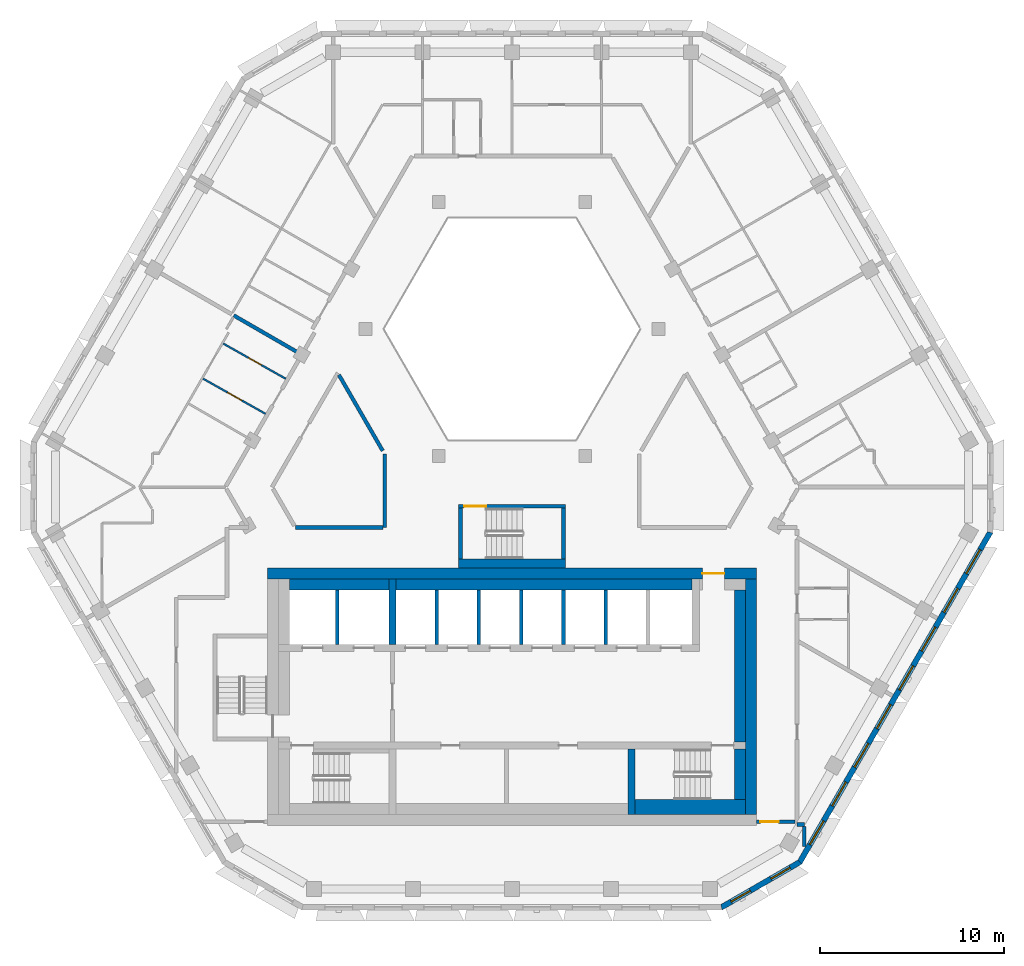
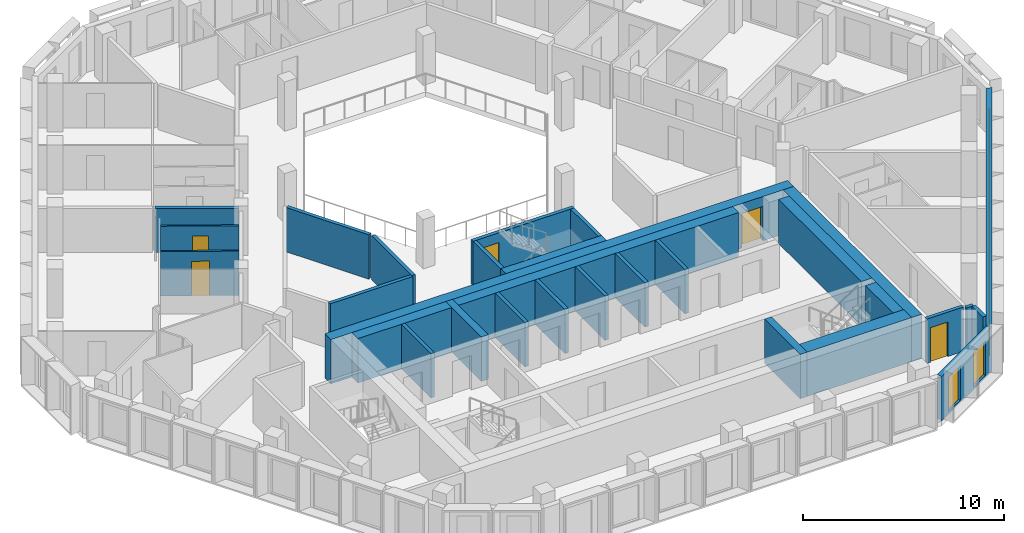
# One storey, part 5 of 18: 30 walls, 10 windows, 5 doors, 15 openings.
"""IFC4 building model written with IfcOpenShell, lengths in metres."""

from ifc_helpers import new_model, si_unit, direction, frame, frame_2d, origin, place, context, subcontext, project, spatial, polyline, rectangle, outline, extrude, material, layer, layer_set, type_object, element, fill, save


model = new_model("IFC4")

# Units and contexts
model_context = context("Model", 3, precision=1e-05, world=origin(), true_north=direction((0.0, 1.0)))
body_context = subcontext(model_context, "Body", "Model", "MODEL_VIEW")
ifc_project = project(units=[si_unit("LENGTHUNIT", "METRE"), si_unit("AREAUNIT", "SQUARE_METRE"), si_unit("VOLUMEUNIT", "CUBIC_METRE"), si_unit("PLANEANGLEUNIT", "RADIAN"), si_unit("MASSUNIT", "GRAM", prefix="KILO")], contexts=[model_context])

# Site, building, storey
site_placement = place(None, origin())
site = spatial("IfcSite", under=ifc_project, at=site_placement, CompositionType="ELEMENT")
building_placement = place(site_placement, origin())
building = spatial("IfcBuilding", under=site, at=building_placement, Name="Beryl Residences", CompositionType="ELEMENT")
storey_placement = place(building_placement, frame((0.0, 0.0, 184.199951171875)))
storey = spatial("IfcBuildingStorey", under=building, at=storey_placement, Name="L56", CompositionType="ELEMENT", Elevation=184.199951171875)

# Wall, openings, windows
ifc_material_1 = material(Name="Composite metal panel with mineral wool insulation")
ifc_layer_1 = layer(ifc_material_1, 0.300048828125)
ifc_layer_set_1 = layer_set([ifc_layer_1], Name="ES1 pale metal composite panel wall 300 mm")
wall_type_1 = type_object("IfcWallType", Name="ES1 pale metal composite panel wall 300 mm", PredefinedType="SOLIDWALL", material=ifc_layer_set_1)
wall_1_placement = place(storey_placement, frame((11.35595703125, -23.469970703125, 0.0), z_axis=(0.0, 0.0, 1.0), x_axis=(0.866022959057, 0.500004234368, 0.0)))
wall_1 = element("IfcWall", 1, at=wall_1_placement, inside=storey, type_object=wall_type_1, Name="ES1 external wall L56 S-SE", PredefinedType="SOLIDWALL", context=body_context, shape_type="SweptSolid", body=[
    extrude(outline(polyline([(0.0, -0.14990234375), (5.0, -0.14990234375), (4.919677734375, 0.14990234375), (0.080322265625, 0.14990234375), (0.0, -0.14990234375)])), origin(), (0.0, 0.0, 1.0), 2.699951171875),
])
opening_1_placement = place(wall_1_placement, frame((0.64990234375, 0.0, 0.14990234375)))
opening_1 = element("IfcOpeningElement", 2, at=opening_1_placement, cuts=wall_1, Name="Opening W2", PredefinedType="OPENING", context=body_context, shape_type="SweptSolid", body=[
    extrude(rectangle(XDim=1.199951171875, YDim=2.10009765625, at=frame_2d((0.60009765625, 1.050048828125))), frame((0.0, 0.159912109375, 0.0), z_axis=(0.0, -1.0, 0.0), x_axis=(1.0, 0.0, 0.0)), (0.0, 0.0, 1.0), 0.320068359375),
])
opening_2_placement = place(wall_1_placement, frame((3.14892578125, 0.0, 0.14990234375)))
opening_2 = element("IfcOpeningElement", 3, at=opening_2_placement, cuts=wall_1, Name="Opening W2", PredefinedType="OPENING", context=body_context, shape_type="SweptSolid", body=[
    extrude(rectangle(XDim=1.199951171875, YDim=2.10009765625, at=frame_2d((0.60009765625, 1.050048828125))), frame((0.0, 0.159912109375, 0.0), z_axis=(0.0, -1.0, 0.0), x_axis=(1.0, 0.0, 0.0)), (0.0, 0.0, 1.0), 0.320068359375),
])
ifc_material_2 = material(Name="Aluminium and clear glass", Category="aluminium")
window_type_1 = type_object("IfcWindowType", Name="W2 chamfer window 1200 x 2100 mm", PartitioningType="SINGLE_PANEL", PredefinedType="WINDOW", material=ifc_material_2)
window_1_placement = place(opening_1_placement, origin())
window_1 = element("IfcWindow", 4, at=window_1_placement, inside=storey, type_object=window_type_1, Name="W2 window L56 S-SE 1", OverallHeight=2.10009765625, OverallWidth=1.199951171875, PartitioningType="SINGLE_PANEL", PredefinedType="WINDOW", context=body_context, shape_type="SweptSolid", body=[
    extrude(rectangle(XDim=1.199951171875, YDim=2.10009765625, at=frame_2d((0.60009765625, 1.050048828125))), frame((0.0, 0.030029296875, 0.0), z_axis=(0.0, -1.0, 0.0), x_axis=(1.0, 0.0, 0.0)), (0.0, 0.0, 1.0), 0.06005859375),
])
fill(opening_1, window_1)
window_2_placement = place(opening_2_placement, origin())
window_2 = element("IfcWindow", 5, at=window_2_placement, inside=storey, type_object=window_type_1, Name="W2 window L56 S-SE 2", OverallHeight=2.10009765625, OverallWidth=1.199951171875, PartitioningType="SINGLE_PANEL", PredefinedType="WINDOW", context=body_context, shape_type="SweptSolid", body=[
    extrude(rectangle(XDim=1.199951171875, YDim=2.10009765625, at=frame_2d((0.60009765625, 1.050048828125))), frame((0.0, 0.030029296875, 0.0), z_axis=(0.0, -1.0, 0.0), x_axis=(1.0, 0.0, 0.0)), (0.0, 0.0, 1.0), 0.06005859375),
])
fill(opening_2, window_2)

wall_2_placement = place(storey_placement, frame((15.631103515625, -21.02490234375, 0.0), z_axis=(0.0, 0.0, 1.0), x_axis=(0.500018670445, 0.86601462413, 0.0)))
wall_2 = element("IfcWall", 6, at=wall_2_placement, inside=storey, type_object=wall_type_1, Name="ES1 external wall L56 SE", PredefinedType="SOLIDWALL", context=body_context, shape_type="SweptSolid", body=[
    extrude(outline(polyline([(0.0, -0.14990234375), (20.784912109375, -0.14990234375), (20.70458984375, 0.14990234375), (0.080322265625, 0.14990234375), (0.0, -0.14990234375)])), origin(), (0.0, 0.0, 1.0), 2.699951171875),
])
opening_3_placement = place(wall_2_placement, frame((1.1298828125, 0.0, 0.14990234375)))
opening_3 = element("IfcOpeningElement", 7, at=opening_3_placement, cuts=wall_2, Name="Opening W1", PredefinedType="OPENING", context=body_context, shape_type="SweptSolid", body=[
    extrude(rectangle(XDim=1.5, YDim=2.10009765625, at=frame_2d((0.75, 1.050048828125))), frame((0.0, 0.159912109375, 0.0), z_axis=(0.0, -1.0, 0.0), x_axis=(1.0, 0.0, 0.0)), (0.0, 0.0, 1.0), 0.320068359375),
])
opening_4_placement = place(wall_2_placement, frame((3.56201171875, 0.0, 0.14990234375)))
opening_4 = element("IfcOpeningElement", 8, at=opening_4_placement, cuts=wall_2, Name="Opening W1", PredefinedType="OPENING", context=body_context, shape_type="SweptSolid", body=[
    extrude(rectangle(XDim=1.5, YDim=2.10009765625, at=frame_2d((0.75, 1.050048828125))), frame((0.0, 0.159912109375, 0.0), z_axis=(0.0, -1.0, 0.0), x_axis=(1.0, 0.0, 0.0)), (0.0, 0.0, 1.0), 0.320068359375),
])
opening_5_placement = place(wall_2_placement, frame((5.993896484375, 0.0, 0.14990234375)))
opening_5 = element("IfcOpeningElement", 9, at=opening_5_placement, cuts=wall_2, Name="Opening W1", PredefinedType="OPENING", context=body_context, shape_type="SweptSolid", body=[
    extrude(rectangle(XDim=1.5, YDim=2.10009765625, at=frame_2d((0.75, 1.050048828125))), frame((0.0, 0.159912109375, 0.0), z_axis=(0.0, -1.0, 0.0), x_axis=(1.0, 0.0, 0.0)), (0.0, 0.0, 1.0), 0.320068359375),
])
opening_6_placement = place(wall_2_placement, frame((8.425048828125, 0.0, 0.14990234375)))
opening_6 = element("IfcOpeningElement", 10, at=opening_6_placement, cuts=wall_2, Name="Opening W1", PredefinedType="OPENING", context=body_context, shape_type="SweptSolid", body=[
    extrude(rectangle(XDim=1.5, YDim=2.10009765625, at=frame_2d((0.75, 1.050048828125))), frame((0.0, 0.159912109375, 0.0), z_axis=(0.0, -1.0, 0.0), x_axis=(1.0, 0.0, 0.0)), (0.0, 0.0, 1.0), 0.320068359375),
])
opening_7_placement = place(wall_2_placement, frame((10.85693359375, 0.0, 0.14990234375)))
opening_7 = element("IfcOpeningElement", 11, at=opening_7_placement, cuts=wall_2, Name="Opening W1", PredefinedType="OPENING", context=body_context, shape_type="SweptSolid", body=[
    extrude(rectangle(XDim=1.5, YDim=2.10009765625, at=frame_2d((0.75, 1.050048828125))), frame((0.0, 0.159912109375, 0.0), z_axis=(0.0, -1.0, 0.0), x_axis=(1.0, 0.0, 0.0)), (0.0, 0.0, 1.0), 0.320068359375),
])
opening_8_placement = place(wall_2_placement, frame((13.2890625, 0.0, 0.14990234375)))
opening_8 = element("IfcOpeningElement", 12, at=opening_8_placement, cuts=wall_2, Name="Opening W1", PredefinedType="OPENING", context=body_context, shape_type="SweptSolid", body=[
    extrude(rectangle(XDim=1.5, YDim=2.10009765625, at=frame_2d((0.75, 1.050048828125))), frame((0.0, 0.159912109375, 0.0), z_axis=(0.0, -1.0, 0.0), x_axis=(1.0, 0.0, 0.0)), (0.0, 0.0, 1.0), 0.320068359375),
])
opening_9_placement = place(wall_2_placement, frame((15.721923828125, 0.0, 0.14990234375)))
opening_9 = element("IfcOpeningElement", 13, at=opening_9_placement, cuts=wall_2, Name="Opening W1", PredefinedType="OPENING", context=body_context, shape_type="SweptSolid", body=[
    extrude(rectangle(XDim=1.5, YDim=2.10009765625, at=frame_2d((0.75, 1.050048828125))), frame((0.0, 0.159912109375, 0.0), z_axis=(0.0, -1.0, 0.0), x_axis=(1.0, 0.0, 0.0)), (0.0, 0.0, 1.0), 0.320068359375),
])
opening_10_placement = place(wall_2_placement, frame((18.154052734375, 0.0, 0.14990234375)))
opening_10 = element("IfcOpeningElement", 14, at=opening_10_placement, cuts=wall_2, Name="Opening W1", PredefinedType="OPENING", context=body_context, shape_type="SweptSolid", body=[
    extrude(rectangle(XDim=1.5, YDim=2.10009765625, at=frame_2d((0.75, 1.050048828125))), frame((0.0, 0.159912109375, 0.0), z_axis=(0.0, -1.0, 0.0), x_axis=(1.0, 0.0, 0.0)), (0.0, 0.0, 1.0), 0.320068359375),
])
ifc_material_3 = material(Name="Aluminium and clear glass", Category="aluminium")
window_type_2 = type_object("IfcWindowType", Name="W1 cell window 1500 x 2100 mm", PartitioningType="SINGLE_PANEL", PredefinedType="WINDOW", material=ifc_material_3)
window_3_placement = place(opening_3_placement, origin())
window_3 = element("IfcWindow", 15, at=window_3_placement, inside=storey, type_object=window_type_2, Name="W1 window L56 SE 1", OverallHeight=2.10009765625, OverallWidth=1.5, PartitioningType="SINGLE_PANEL", PredefinedType="WINDOW", context=body_context, shape_type="SweptSolid", body=[
    extrude(rectangle(XDim=1.5, YDim=2.10009765625, at=frame_2d((0.75, 1.050048828125))), frame((0.0, 0.030029296875, 0.0), z_axis=(0.0, -1.0, 0.0), x_axis=(1.0, 0.0, 0.0)), (0.0, 0.0, 1.0), 0.06005859375),
])
fill(opening_3, window_3)
window_4_placement = place(opening_4_placement, origin())
window_4 = element("IfcWindow", 16, at=window_4_placement, inside=storey, type_object=window_type_2, Name="W1 window L56 SE 2", OverallHeight=2.10009765625, OverallWidth=1.5, PartitioningType="SINGLE_PANEL", PredefinedType="WINDOW", context=body_context, shape_type="SweptSolid", body=[
    extrude(rectangle(XDim=1.5, YDim=2.10009765625, at=frame_2d((0.75, 1.050048828125))), frame((0.0, 0.030029296875, 0.0), z_axis=(0.0, -1.0, 0.0), x_axis=(1.0, 0.0, 0.0)), (0.0, 0.0, 1.0), 0.06005859375),
])
fill(opening_4, window_4)
window_5_placement = place(opening_5_placement, origin())
window_5 = element("IfcWindow", 17, at=window_5_placement, inside=storey, type_object=window_type_2, Name="W1 window L56 SE 3", OverallHeight=2.10009765625, OverallWidth=1.5, PartitioningType="SINGLE_PANEL", PredefinedType="WINDOW", context=body_context, shape_type="SweptSolid", body=[
    extrude(rectangle(XDim=1.5, YDim=2.10009765625, at=frame_2d((0.75, 1.050048828125))), frame((0.0, 0.030029296875, 0.0), z_axis=(0.0, -1.0, 0.0), x_axis=(1.0, 0.0, 0.0)), (0.0, 0.0, 1.0), 0.06005859375),
])
fill(opening_5, window_5)
window_6_placement = place(opening_6_placement, origin())
window_6 = element("IfcWindow", 18, at=window_6_placement, inside=storey, type_object=window_type_2, Name="W1 window L56 SE 4", OverallHeight=2.10009765625, OverallWidth=1.5, PartitioningType="SINGLE_PANEL", PredefinedType="WINDOW", context=body_context, shape_type="SweptSolid", body=[
    extrude(rectangle(XDim=1.5, YDim=2.10009765625, at=frame_2d((0.75, 1.050048828125))), frame((0.0, 0.030029296875, 0.0), z_axis=(0.0, -1.0, 0.0), x_axis=(1.0, 0.0, 0.0)), (0.0, 0.0, 1.0), 0.06005859375),
])
fill(opening_6, window_6)
window_7_placement = place(opening_7_placement, origin())
window_7 = element("IfcWindow", 19, at=window_7_placement, inside=storey, type_object=window_type_2, Name="W1 window L56 SE 5", OverallHeight=2.10009765625, OverallWidth=1.5, PartitioningType="SINGLE_PANEL", PredefinedType="WINDOW", context=body_context, shape_type="SweptSolid", body=[
    extrude(rectangle(XDim=1.5, YDim=2.10009765625, at=frame_2d((0.75, 1.050048828125))), frame((0.0, 0.030029296875, 0.0), z_axis=(0.0, -1.0, 0.0), x_axis=(1.0, 0.0, 0.0)), (0.0, 0.0, 1.0), 0.06005859375),
])
fill(opening_7, window_7)
window_8_placement = place(opening_8_placement, origin())
window_8 = element("IfcWindow", 20, at=window_8_placement, inside=storey, type_object=window_type_2, Name="W1 window L56 SE 6", OverallHeight=2.10009765625, OverallWidth=1.5, PartitioningType="SINGLE_PANEL", PredefinedType="WINDOW", context=body_context, shape_type="SweptSolid", body=[
    extrude(rectangle(XDim=1.5, YDim=2.10009765625, at=frame_2d((0.75, 1.050048828125))), frame((0.0, 0.030029296875, 0.0), z_axis=(0.0, -1.0, 0.0), x_axis=(1.0, 0.0, 0.0)), (0.0, 0.0, 1.0), 0.06005859375),
])
fill(opening_8, window_8)
window_9_placement = place(opening_9_placement, origin())
window_9 = element("IfcWindow", 21, at=window_9_placement, inside=storey, type_object=window_type_2, Name="W1 window L56 SE 7", OverallHeight=2.10009765625, OverallWidth=1.5, PartitioningType="SINGLE_PANEL", PredefinedType="WINDOW", context=body_context, shape_type="SweptSolid", body=[
    extrude(rectangle(XDim=1.5, YDim=2.10009765625, at=frame_2d((0.75, 1.050048828125))), frame((0.0, 0.030029296875, 0.0), z_axis=(0.0, -1.0, 0.0), x_axis=(1.0, 0.0, 0.0)), (0.0, 0.0, 1.0), 0.06005859375),
])
fill(opening_9, window_9)
window_10_placement = place(opening_10_placement, origin())
window_10 = element("IfcWindow", 22, at=window_10_placement, inside=storey, type_object=window_type_2, Name="W1 window L56 SE 8", OverallHeight=2.10009765625, OverallWidth=1.5, PartitioningType="SINGLE_PANEL", PredefinedType="WINDOW", context=body_context, shape_type="SweptSolid", body=[
    extrude(rectangle(XDim=1.5, YDim=2.10009765625, at=frame_2d((0.75, 1.050048828125))), frame((0.0, 0.030029296875, 0.0), z_axis=(0.0, -1.0, 0.0), x_axis=(1.0, 0.0, 0.0)), (0.0, 0.0, 1.0), 0.06005859375),
])
fill(opening_10, window_10)

# Wall, opening, door
ifc_material_4 = material(Name="Gypsum board partition on steel studs", Category="steel")
ifc_layer_2 = layer(ifc_material_4, 0.10009765625)
ifc_layer_set_2 = layer_set([ifc_layer_2], Name="PT1 partition 100 mm gypsum board on steel studs")
wall_type_2 = type_object("IfcWallType", Name="PT1 partition 100 mm gypsum board on steel studs", PredefinedType="PARTITIONING", material=ifc_layer_set_2)
wall_3_placement = place(storey_placement, frame((-16.799072265625, 5.2958984375, 0.0), z_axis=(0.0, 0.0, 1.0), x_axis=(0.871565499758, -0.490279083413, 0.0)))
wall_3 = element("IfcWall", 23, at=wall_3_placement, inside=storey, type_object=wall_type_2, Name="Wall PT1 L56 011", PredefinedType="PARTITIONING", context=body_context, shape_type="SweptSolid", body=[
    extrude(rectangle(XDim=3.8974609375, YDim=0.10009765625, at=frame_2d((1.94873046875, 0.0))), origin(), (0.0, 0.0, 1.0), 2.699951171875),
])
opening_11_placement = place(wall_3_placement, frame((1.52392578125, 0.0, 0.0)))
opening_11 = element("IfcOpeningElement", 24, at=opening_11_placement, cuts=wall_3, Name="Opening D1525", PredefinedType="OPENING", context=body_context, shape_type="SweptSolid", body=[
    extrude(rectangle(XDim=0.89990234375, YDim=2.10009765625, at=frame_2d((0.449951171875, 1.050048828125))), frame((0.0, 0.06005859375, 0.0), z_axis=(0.0, -1.0, 0.0), x_axis=(1.0, 0.0, 0.0)), (0.0, 0.0, 1.0), 0.1201171875),
])
ifc_material_5 = material(Name="Timber door leaf", Category="wood")
door_type_1 = type_object("IfcDoorType", Name="D2 room door 900 x 2100 mm", OperationType="SINGLE_SWING_LEFT", PredefinedType="DOOR", material=ifc_material_5)
door_1_placement = place(opening_11_placement, origin())
door_1 = element("IfcDoor", 25, at=door_1_placement, inside=storey, type_object=door_type_1, Name="Door D1525 L56 001", OperationType="SINGLE_SWING_LEFT", OverallHeight=2.10009765625, OverallWidth=0.89990234375, PredefinedType="DOOR", context=body_context, shape_type="SweptSolid", body=[
    extrude(rectangle(XDim=0.89990234375, YDim=2.10009765625, at=frame_2d((0.449951171875, 1.050048828125))), frame((0.0, 0.02490234375, 0.0), z_axis=(0.0, -1.0, 0.0), x_axis=(1.0, 0.0, 0.0)), (0.0, 0.0, 1.0), 0.050048828125),
])
fill(opening_11, door_1)

wall_4_placement = place(storey_placement, frame((-15.698974609375, 7.201904296875, 0.0), z_axis=(0.0, 0.0, 1.0), x_axis=(0.871565499758, -0.490279083413, 0.0)))
wall_4 = element("IfcWall", 26, at=wall_4_placement, inside=storey, type_object=wall_type_2, Name="Wall PT1 L56 012", PredefinedType="PARTITIONING", context=body_context, shape_type="SweptSolid", body=[
    extrude(rectangle(XDim=3.8974609375, YDim=0.10009765625, at=frame_2d((1.94873046875, 0.0))), origin(), (0.0, 0.0, 1.0), 2.699951171875),
])
opening_12_placement = place(wall_4_placement, frame((1.573974609375, 0.0, 0.0)))
opening_12 = element("IfcOpeningElement", 27, at=opening_12_placement, cuts=wall_4, Name="Opening D1526", PredefinedType="OPENING", context=body_context, shape_type="SweptSolid", body=[
    extrude(rectangle(XDim=0.800048828125, YDim=2.10009765625, at=frame_2d((0.39990234375, 1.050048828125))), frame((0.0, 0.06005859375, 0.0), z_axis=(0.0, -1.0, 0.0), x_axis=(1.0, 0.0, 0.0)), (0.0, 0.0, 1.0), 0.1201171875),
])
ifc_material_6 = material(Name="Timber door leaf", Category="wood")
door_type_2 = type_object("IfcDoorType", Name="D3 bathroom door 800 x 2100 mm", OperationType="SINGLE_SWING_LEFT", PredefinedType="DOOR", material=ifc_material_6)
door_2_placement = place(opening_12_placement, origin())
door_2 = element("IfcDoor", 28, at=door_2_placement, inside=storey, type_object=door_type_2, Name="Door D1526 L56 001", OperationType="SINGLE_SWING_RIGHT", OverallHeight=2.10009765625, OverallWidth=0.800048828125, PredefinedType="DOOR", context=body_context, shape_type="SweptSolid", body=[
    extrude(rectangle(XDim=0.800048828125, YDim=2.10009765625, at=frame_2d((0.39990234375, 1.050048828125))), frame((0.0, 0.02490234375, 0.0), z_axis=(0.0, -1.0, 0.0), x_axis=(1.0, 0.0, 0.0)), (0.0, 0.0, 1.0), 0.050048828125),
])
fill(opening_12, door_2)

# Walls
ifc_material_7 = material(Name="Concrete masonry", Category="masonry")
ifc_layer_3 = layer(ifc_material_7, 0.60009765625)
ifc_layer_set_3 = layer_set([ifc_layer_3], Name="PT13-600 lobby wall 600 mm")
wall_type_3 = type_object("IfcWallType", Name="PT13-600 lobby wall 600 mm", PredefinedType="PARTITIONING", material=ifc_layer_set_3)
wall_5_placement = place(storey_placement, frame((12.39990234375, -14.449951171875, 0.0), z_axis=(0.0, 0.0, 1.0), x_axis=(0.0, 1.0, 0.0)))
element("IfcWall", 29, at=wall_5_placement, inside=storey, type_object=wall_type_3, Name="Lobby wall 26", PredefinedType="PARTITIONING", context=body_context, shape_type="SweptSolid", body=[
    extrude(rectangle(XDim=8.25, YDim=0.60009765625, at=frame_2d((4.125, 0.0))), origin(), (0.0, 0.0, 1.0), 2.699951171875),
])
ifc_material_8 = material(Name="Acoustic double stud gypsum board wall")
ifc_layer_4 = layer(ifc_material_8, 0.199951171875)
ifc_layer_set_4 = layer_set([ifc_layer_4], Name="PT3 party wall 200 mm acoustic double stud")
wall_type_4 = type_object("IfcWallType", Name="PT3 party wall 200 mm acoustic double stud", PredefinedType="PARTITIONING", material=ifc_layer_set_4)
wall_6_placement = place(storey_placement, frame((15.89990234375, -19.051025390625, 0.0), z_axis=(0.0, 0.0, 1.0), x_axis=(0.0, -1.0, 0.0)))
element("IfcWall", 30, at=wall_6_placement, inside=storey, type_object=wall_type_4, Name="Wall PT3 L56 002", PredefinedType="PARTITIONING", context=body_context, shape_type="SweptSolid", body=[
    extrude(rectangle(XDim=1.0869140625, YDim=0.199951171875, at=frame_2d((0.54345703125, 0.0))), origin(), (0.0, 0.0, 1.0), 2.699951171875),
])
wall_7_placement = place(storey_placement, frame((-15.126953125, 8.73388671875, 0.0), z_axis=(0.0, 0.0, 1.0), x_axis=(0.865984601828, -0.500070664403, 0.0)))
element("IfcWall", 31, at=wall_7_placement, inside=storey, type_object=wall_type_4, Name="Wall PT3 L56 004", PredefinedType="PARTITIONING", context=body_context, shape_type="SweptSolid", body=[
    extrude(rectangle(XDim=4.16748046875, YDim=0.199951171875, at=frame_2d((2.083740234375, 0.0))), origin(), (0.0, 0.0, 1.0), 2.699951171875),
])
wall_8_placement = place(storey_placement, frame((15.4990234375, -18.949951171875, 0.0), z_axis=(0.0, 0.0, 1.0), x_axis=(1.0, 0.0, 0.0)))
element("IfcWall", 32, at=wall_8_placement, inside=storey, type_object=wall_type_4, Name="Wall PT3 L56 014", PredefinedType="PARTITIONING", context=body_context, shape_type="SweptSolid", body=[
    extrude(rectangle(XDim=0.39990234375, YDim=0.199951171875, at=frame_2d((0.199951171875, 0.0))), origin(), (0.0, 0.0, 1.0), 2.699951171875),
])
ifc_material_9 = material(Name="Double stud gypsum board wall")
ifc_layer_5 = layer(ifc_material_9, 0.199951171875)
ifc_layer_set_5 = layer_set([ifc_layer_5], Name="PT4 corridor wall 200 mm double stud")
wall_type_5 = type_object("IfcWallType", Name="PT4 corridor wall 200 mm double stud", PredefinedType="PARTITIONING", material=ifc_layer_set_5)
wall_9_placement = place(storey_placement, frame((-9.410888671875, 5.5, 0.0), z_axis=(0.0, 0.0, 1.0), x_axis=(0.500018099276, -0.86601495391, 0.0)))
element("IfcWall", 33, at=wall_9_placement, inside=storey, type_object=wall_type_5, Name="Wall PT4 L56 001", PredefinedType="PARTITIONING", context=body_context, shape_type="SweptSolid", body=[
    extrude(rectangle(XDim=4.765380859375, YDim=0.199951171875, at=frame_2d((2.3828125, 0.0))), origin(), (0.0, 0.0, 1.0), 2.699951171875),
])

# Wall, opening, door
wall_10_placement = place(storey_placement, frame((13.300048828125, -18.800048828125, 0.0), z_axis=(0.0, 0.0, 1.0), x_axis=(1.0, 0.0, 0.0)))
wall_10 = element("IfcWall", 34, at=wall_10_placement, inside=storey, type_object=wall_type_5, Name="Wall PT4 L56 009", PredefinedType="PARTITIONING", context=body_context, shape_type="SweptSolid", body=[
    extrude(rectangle(XDim=2.098876953125, YDim=0.199951171875, at=frame_2d((1.04931640625, 0.0))), origin(), (0.0, 0.0, 1.0), 2.699951171875),
])
opening_13_placement = place(wall_10_placement, frame((0.199951171875, 0.0, 0.0)))
opening_13 = element("IfcOpeningElement", 35, at=opening_13_placement, cuts=wall_10, Name="Opening D1548", PredefinedType="OPENING", context=body_context, shape_type="SweptSolid", body=[
    extrude(rectangle(XDim=1.0, YDim=2.10009765625, at=frame_2d((0.5, 1.050048828125))), frame((0.0, 0.10986328125, 0.0), z_axis=(0.0, -1.0, 0.0), x_axis=(1.0, 0.0, 0.0)), (0.0, 0.0, 1.0), 0.219970703125),
])
ifc_material_10 = material(Name="Timber door leaf", Category="wood")
door_type_3 = type_object("IfcDoorType", Name="D1 flat entrance door 1000 x 2100 mm", OperationType="SINGLE_SWING_LEFT", PredefinedType="DOOR", material=ifc_material_10)
door_3_placement = place(opening_13_placement, origin())
door_3 = element("IfcDoor", 36, at=door_3_placement, inside=storey, type_object=door_type_3, Name="Door D1548 L56 001", OperationType="SINGLE_SWING_LEFT", OverallHeight=2.10009765625, OverallWidth=1.0, PredefinedType="DOOR", context=body_context, shape_type="SweptSolid", body=[
    extrude(rectangle(XDim=1.0, YDim=2.10009765625, at=frame_2d((0.5, 1.050048828125))), frame((0.0, 0.02490234375, 0.0), z_axis=(0.0, -1.0, 0.0), x_axis=(1.0, 0.0, 0.0)), (0.0, 0.0, 1.0), 0.050048828125),
])
fill(opening_13, door_3)

# Walls
wall_11_placement = place(storey_placement, frame((-11.778076171875, -2.800048828125, 0.0), z_axis=(0.0, 0.0, 1.0), x_axis=(1.0, 0.0, 0.0)))
element("IfcWall", 37, at=wall_11_placement, inside=storey, type_object=wall_type_5, Name="Wall PT4 L56 011", PredefinedType="PARTITIONING", context=body_context, shape_type="SweptSolid", body=[
    extrude(rectangle(XDim=4.75, YDim=0.199951171875, at=frame_2d((2.375, 0.0))), origin(), (0.0, 0.0, 1.0), 2.699951171875),
])
wall_12_placement = place(storey_placement, frame((-6.927978515625, -2.800048828125, 0.0), z_axis=(0.0, 0.0, 1.0), x_axis=(0.0, 1.0, 0.0)))
element("IfcWall", 38, at=wall_12_placement, inside=storey, type_object=wall_type_5, Name="Wall PT4 L56 023", PredefinedType="PARTITIONING", context=body_context, shape_type="SweptSolid", body=[
    extrude(rectangle(XDim=4.0, YDim=0.199951171875, at=frame_2d((2.0, 0.0))), origin(), (0.0, 0.0, 1.0), 2.699951171875),
])

# Wall, opening, door
ifc_material_11 = material(Name="Concrete C40/50", Category="concrete")
ifc_layer_6 = layer(ifc_material_11, 0.199951171875)
ifc_layer_set_6 = layer_set([ifc_layer_6], Name="PT5 stair enclosure wall 200 mm reinforced concrete C40/50")
wall_type_6 = type_object("IfcWallType", Name="PT5 stair enclosure wall 200 mm reinforced concrete C40/50", PredefinedType="SOLIDWALL", material=ifc_layer_set_6)
wall_13_placement = place(storey_placement, frame((-2.89990234375, -1.64990234375, 0.0), z_axis=(0.0, 0.0, 1.0), x_axis=(1.0, 0.0, 0.0)))
wall_13 = element("IfcWall", 39, at=wall_13_placement, inside=storey, type_object=wall_type_6, Name="Wall PT5 L56 001", PredefinedType="SOLIDWALL", context=body_context, shape_type="SweptSolid", body=[
    extrude(rectangle(XDim=5.7998046875, YDim=0.199951171875, at=frame_2d((2.89990234375, 0.0))), origin(), (0.0, 0.0, 1.0), 2.699951171875),
])
opening_14_placement = place(wall_13_placement, frame((0.300048828125, 0.0, 0.0)))
opening_14 = element("IfcOpeningElement", 40, at=opening_14_placement, cuts=wall_13, Name="Opening DS04", PredefinedType="OPENING", context=body_context, shape_type="SweptSolid", body=[
    extrude(rectangle(XDim=1.199951171875, YDim=2.10009765625, at=frame_2d((0.60009765625, 1.050048828125))), frame((0.0, 0.10986328125, 0.0), z_axis=(0.0, -1.0, 0.0), x_axis=(1.0, 0.0, 0.0)), (0.0, 0.0, 1.0), 0.219970703125),
])
ifc_material_12 = material(Name="Steel door leaf in steel frame", Category="steel")
door_type_4 = type_object("IfcDoorType", Name="D4 stair door 1200 x 2100 mm", OperationType="SINGLE_SWING_LEFT", PredefinedType="DOOR", material=ifc_material_12)
door_4_placement = place(opening_14_placement, origin())
door_4 = element("IfcDoor", 41, at=door_4_placement, inside=storey, type_object=door_type_4, Name="Door DS04 L56 001", OperationType="SINGLE_SWING_LEFT", OverallHeight=2.10009765625, OverallWidth=1.199951171875, PredefinedType="DOOR", context=body_context, shape_type="SweptSolid", body=[
    extrude(rectangle(XDim=1.199951171875, YDim=2.10009765625, at=frame_2d((0.60009765625, 1.050048828125))), frame((0.0, 0.02490234375, 0.0), z_axis=(0.0, -1.0, 0.0), x_axis=(1.0, 0.0, 0.0)), (0.0, 0.0, 1.0), 0.050048828125),
])
fill(opening_14, door_4)

# Walls
for number, where, z_axis, x_axis, name in (
    (42, (-2.800048828125, -4.5, 0.0), (0.0, 0.0, 1.0), (0.0, 1.0, 0.0), "Wall PT5 L56 002"),
    (43, (2.800048828125, -4.5, 0.0), (0.0, 0.0, 1.0), (0.0, 1.0, 0.0), "Wall PT5 L56 003"),
):
    element("IfcWall", number, at=place(storey_placement, frame(where, z_axis=z_axis, x_axis=x_axis)), inside=storey, type_object=wall_type_6, Name=name, PredefinedType="SOLIDWALL", context=body_context, shape_type="SweptSolid", body=[
        extrude(rectangle(XDim=2.75, YDim=0.199951171875, at=frame_2d((1.375, 0.0))), origin(), (0.0, 0.0, 1.0), 2.699951171875),
    ])
ifc_material_13 = material(Name="Concrete C40/50", Category="concrete")
ifc_layer_7 = layer(ifc_material_13, 0.5)
ifc_layer_set_7 = layer_set([ifc_layer_7], Name="PT5-500 stair enclosure wall 500 mm")
wall_type_7 = type_object("IfcWallType", Name="PT5-500 stair enclosure wall 500 mm", PredefinedType="SOLIDWALL", material=ifc_layer_set_7)
wall_14_placement = place(storey_placement, frame((-2.89990234375, -4.75, 0.0), z_axis=(0.0, 0.0, 1.0), x_axis=(1.0, 0.0, 0.0)))
element("IfcWall", 44, at=wall_14_placement, inside=storey, type_object=wall_type_7, Name="Wall PT5-500 L56 001", PredefinedType="SOLIDWALL", context=body_context, shape_type="SweptSolid", body=[
    extrude(rectangle(XDim=5.7998046875, YDim=0.5, at=frame_2d((2.89990234375, 0.0))), origin(), (0.0, 0.0, 1.0), 2.699951171875),
])
ifc_material_14 = material(Name="Concrete C40/50", Category="concrete")
ifc_layer_8 = layer(ifc_material_14, 0.60009765625)
ifc_layer_set_8 = layer_set([ifc_layer_8], Name="PT5-600 stair enclosure wall 600 mm")
wall_type_8 = type_object("IfcWallType", Name="PT5-600 stair enclosure wall 600 mm", PredefinedType="SOLIDWALL", material=ifc_layer_set_8)
wall_15_placement = place(storey_placement, frame((12.39990234375, -17.60009765625, 0.0), z_axis=(0.0, 0.0, 1.0), x_axis=(0.0, 1.0, 0.0)))
element("IfcWall", 45, at=wall_15_placement, inside=storey, type_object=wall_type_8, Name="Stair wall 25", PredefinedType="SOLIDWALL", context=body_context, shape_type="SweptSolid", body=[
    extrude(rectangle(XDim=2.75, YDim=0.60009765625, at=frame_2d((1.375, 0.0))), origin(), (0.0, 0.0, 1.0), 2.699951171875),
])
ifc_material_15 = material(Name="Concrete C40/50", Category="concrete")
ifc_layer_9 = layer(ifc_material_15, 0.800048828125)
ifc_layer_set_9 = layer_set([ifc_layer_9], Name="PT5-800 stair enclosure wall 800 mm")
wall_type_9 = type_object("IfcWallType", Name="PT5-800 stair enclosure wall 800 mm", PredefinedType="SOLIDWALL", material=ifc_layer_set_9)
wall_16_placement = place(storey_placement, frame((6.699951171875, -18.0, 0.0), z_axis=(0.0, 0.0, 1.0), x_axis=(1.0, 0.0, 0.0)))
element("IfcWall", 46, at=wall_16_placement, inside=storey, type_object=wall_type_9, Name="Stair wall 21", PredefinedType="SOLIDWALL", context=body_context, shape_type="SweptSolid", body=[
    extrude(rectangle(XDim=6.0, YDim=0.800048828125, at=frame_2d((3.0, 0.0))), origin(), (0.0, 0.0, 1.0), 2.699951171875),
])
ifc_material_16 = material(Name="Concrete C40/50", Category="concrete")
ifc_layer_10 = layer(ifc_material_16, 0.199951171875)
ifc_layer_set_10 = layer_set([ifc_layer_10], Name="PT6 lift shaft wall 200 mm reinforced concrete C40/50")
wall_type_10 = type_object("IfcWallType", Name="PT6 lift shaft wall 200 mm reinforced concrete C40/50", PredefinedType="SOLIDWALL", material=ifc_layer_set_10)
for number, where, z_axis, x_axis, name in (
    (47, (-9.5, -9.14990234375, 0.0), (0.0, 0.0, 1.0), (0.0, 1.0, 0.0), "Lift shaft wall 11"),
    (48, (-4.10009765625, -9.14990234375, 0.0), (0.0, 0.0, 1.0), (0.0, 1.0, 0.0), "Lift shaft wall 15"),
    (49, (-1.800048828125, -9.14990234375, 0.0), (0.0, 0.0, 1.0), (0.0, 1.0, 0.0), "Lift shaft wall 16"),
    (50, (0.5, -9.14990234375, 0.0), (0.0, 0.0, 1.0), (0.0, 1.0, 0.0), "Lift shaft wall 18"),
    (51, (2.800048828125, -9.14990234375, 0.0), (0.0, 0.0, 1.0), (0.0, 1.0, 0.0), "Lift shaft wall 19"),
    (52, (5.10009765625, -9.14990234375, 0.0), (0.0, 0.0, 1.0), (0.0, 1.0, 0.0), "Lift shaft wall 20"),
):
    element("IfcWall", number, at=place(storey_placement, frame(where, z_axis=z_axis, x_axis=x_axis)), inside=storey, type_object=wall_type_10, Name=name, PredefinedType="SOLIDWALL", context=body_context, shape_type="SweptSolid", body=[
        extrude(rectangle(XDim=2.949951171875, YDim=0.199951171875, at=frame_2d((1.47509765625, 0.0))), origin(), (0.0, 0.0, 1.0), 2.699951171875),
    ])
ifc_material_17 = material(Name="Concrete C40/50", Category="concrete")
ifc_layer_11 = layer(ifc_material_17, 0.60009765625)
ifc_layer_set_11 = layer_set([ifc_layer_11], Name="PT6-600 lift shaft wall 600 mm")
wall_type_11 = type_object("IfcWallType", Name="PT6-600 lift shaft wall 600 mm", PredefinedType="SOLIDWALL", material=ifc_layer_set_11)
wall_17_placement = place(storey_placement, frame((-12.10009765625, -5.89990234375, 0.0), z_axis=(0.0, 0.0, 1.0), x_axis=(1.0, 0.0, 0.0)))
element("IfcWall", 53, at=wall_17_placement, inside=storey, type_object=wall_type_11, Name="Lift shaft wall 09", PredefinedType="SOLIDWALL", context=body_context, shape_type="SweptSolid", body=[
    extrude(rectangle(XDim=5.400146484375, YDim=0.60009765625, at=frame_2d((2.7001953125, 0.0))), origin(), (0.0, 0.0, 1.0), 2.699951171875),
])
wall_18_placement = place(storey_placement, frame((-6.300048828125, -5.89990234375, 0.0), z_axis=(0.0, 0.0, 1.0), x_axis=(1.0, 0.0, 0.0)))
element("IfcWall", 54, at=wall_18_placement, inside=storey, type_object=wall_type_11, Name="Lift shaft wall 14", PredefinedType="SOLIDWALL", context=body_context, shape_type="SweptSolid", body=[
    extrude(rectangle(XDim=16.10009765625, YDim=0.60009765625, at=frame_2d((8.050048828125, 0.0))), origin(), (0.0, 0.0, 1.0), 2.699951171875),
])

# Wall, opening, door
ifc_material_18 = material(Name="Concrete C50/60", Category="concrete")
ifc_layer_12 = layer(ifc_material_18, 0.60009765625)
ifc_layer_set_12 = layer_set([ifc_layer_12], Name="SW4 core outer wall 600 mm C50/60")
wall_type_12 = type_object("IfcWallType", Name="SW4 core outer wall 600 mm C50/60", PredefinedType="SHEAR", material=ifc_layer_set_12)
wall_19_placement = place(storey_placement, frame((-13.300048828125, -5.300048828125, 0.0), z_axis=(0.0, 0.0, 1.0), x_axis=(1.0, 0.0, 0.0)))
wall_19 = element("IfcWall", 55, at=wall_19_placement, inside=storey, type_object=wall_type_12, Name="Core wall N L56", PredefinedType="SHEAR", context=body_context, shape_type="SweptSolid", body=[
    extrude(rectangle(XDim=26.60009765625, YDim=0.60009765625, at=frame_2d((13.300048828125, 0.0))), origin(), (0.0, 0.0, 1.0), 2.699951171875),
])
opening_15_placement = place(wall_19_placement, frame((23.64990234375, 0.0, 0.0)))
opening_15 = element("IfcOpeningElement", 56, at=opening_15_placement, cuts=wall_19, Name="Opening FD-NORTH", PredefinedType="OPENING", context=body_context, shape_type="SweptSolid", body=[
    extrude(rectangle(XDim=1.199951171875, YDim=2.10009765625, at=frame_2d((0.60009765625, 1.050048828125))), frame((0.0, 0.31005859375, 0.0), z_axis=(0.0, -1.0, 0.0), x_axis=(1.0, 0.0, 0.0)), (0.0, 0.0, 1.0), 0.6201171875),
])
ifc_material_19 = material(Name="Steel door leaf in steel frame", Category="steel")
door_type_5 = type_object("IfcDoorType", Name="D22 lobby door 1200 x 2100 mm", OperationType="DOUBLE_DOOR_SINGLE_SWING", PredefinedType="DOOR", material=ifc_material_19)
door_5_placement = place(opening_15_placement, origin())
door_5 = element("IfcDoor", 57, at=door_5_placement, inside=storey, type_object=door_type_5, Name="Door FD-NORTH L56 001", OperationType="DOUBLE_DOOR_SINGLE_SWING", OverallHeight=2.10009765625, OverallWidth=1.199951171875, PredefinedType="DOOR", context=body_context, shape_type="SweptSolid", body=[
    extrude(rectangle(XDim=1.199951171875, YDim=2.10009765625, at=frame_2d((0.60009765625, 1.050048828125))), frame((0.0, 0.02490234375, 0.0), z_axis=(0.0, -1.0, 0.0), x_axis=(1.0, 0.0, 0.0)), (0.0, 0.0, 1.0), 0.050048828125),
])
fill(opening_15, door_5)

# Walls
wall_20_placement = place(storey_placement, frame((13.0, -18.39990234375, 0.0), z_axis=(0.0, 0.0, 1.0), x_axis=(0.0, 1.0, 0.0)))
element("IfcWall", 58, at=wall_20_placement, inside=storey, type_object=wall_type_12, Name="Core wall E L56", PredefinedType="SHEAR", context=body_context, shape_type="SweptSolid", body=[
    extrude(rectangle(XDim=12.7998046875, YDim=0.60009765625, at=frame_2d((6.39990234375, 0.0))), origin(), (0.0, 0.0, 1.0), 2.699951171875),
])
ifc_material_20 = material(Name="Concrete C50/60", Category="concrete")
ifc_layer_13 = layer(ifc_material_20, 0.39990234375)
ifc_layer_set_13 = layer_set([ifc_layer_13], Name="SW9 core internal wall 400 mm C50/60")
wall_type_13 = type_object("IfcWallType", Name="SW9 core internal wall 400 mm C50/60", PredefinedType="SHEAR", material=ifc_layer_set_13)
for number, where, z_axis, x_axis, name in (
    (59, (6.5, -18.39990234375, 0.0), (0.0, 0.0, 1.0), (0.0, 1.0, 0.0), "Core wall XS2 L56"),
    (60, (-6.5, -9.14990234375, 0.0), (0.0, 0.0, 1.0), (0.0, 1.0, 0.0), "Core wall XN1 L56"),
):
    element("IfcWall", number, at=place(storey_placement, frame(where, z_axis=z_axis, x_axis=x_axis)), inside=storey, type_object=wall_type_13, Name=name, PredefinedType="SHEAR", context=body_context, shape_type="SweptSolid", body=[
        extrude(rectangle(XDim=3.5498046875, YDim=0.39990234375, at=frame_2d((1.77490234375, 0.0))), origin(), (0.0, 0.0, 1.0), 2.699951171875),
    ])

save(model, "model.ifc")
